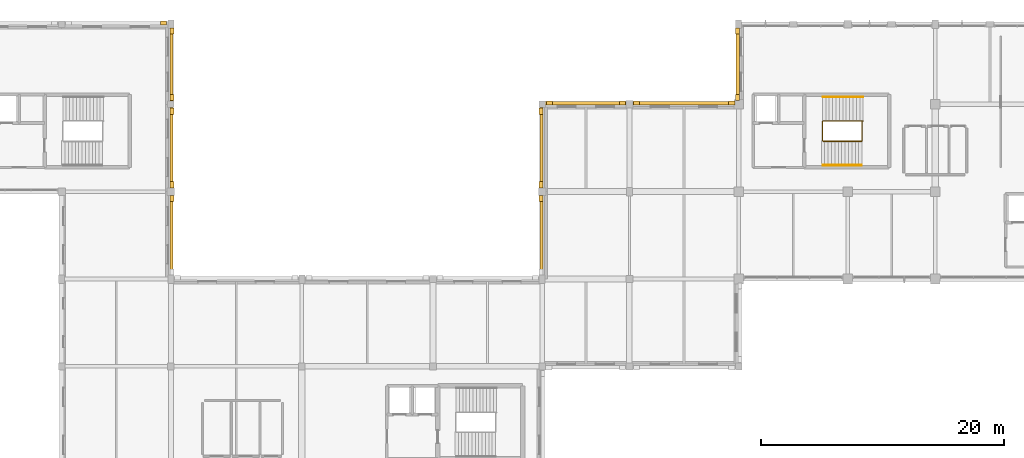
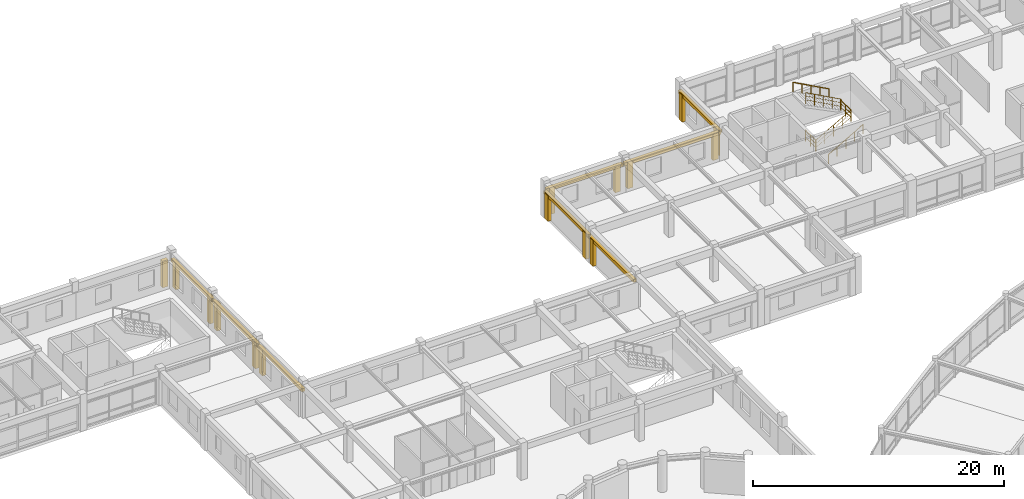
# One storey, part 71 of 74: 23 coverings, 6 railings.
"""IFC4 building model written with IfcOpenShell, lengths in metres."""

from ifc_helpers import new_model, si_unit, direction, frame, frame_2d, origin, origin_2d, place, context, subcontext, project, spatial, rectangle, circle, extrude, material, layer, layer_set, type_object, element, save


model = new_model("IFC4")

# Units and contexts
model_context = context("Model", 3, precision=1e-05, world=origin(), true_north=direction((0.0, 1.0)))
body_context = subcontext(model_context, "Body", "Model", "MODEL_VIEW")
ifc_project = project(units=[si_unit("LENGTHUNIT", "METRE"), si_unit("AREAUNIT", "SQUARE_METRE"), si_unit("VOLUMEUNIT", "CUBIC_METRE"), si_unit("PLANEANGLEUNIT", "RADIAN"), si_unit("MASSUNIT", "GRAM", prefix="KILO")], contexts=[model_context])

# Site, building, storey
site_placement = place(None, origin())
site = spatial("IfcSite", under=ifc_project, at=site_placement, CompositionType="ELEMENT")
building_placement = place(site_placement, origin())
building = spatial("IfcBuilding", under=site, at=building_placement, Name="Clarverna Civic Hall", CompositionType="ELEMENT")
storey_placement = place(building_placement, frame((0.0, 0.0, 9.60009765625)))
storey = spatial("IfcBuildingStorey", under=building, at=storey_placement, Name="L02", CompositionType="ELEMENT", Elevation=9.60009765625)

# Coverings
ifc_material_1 = material(Name="Montjuic Buff Limestone Ashlar Cladding", Category="masonry")
ifc_layer = layer(ifc_material_1, 0.070068359375)
ifc_layer_set = layer_set([ifc_layer], Name="Montjuic Buff Limestone Ashlar Cladding")
covering_type = type_object("IfcCoveringType", Name="CV-CL2", PredefinedType="CLADDING", material=ifc_layer_set)
covering_1_placement = place(storey_placement, frame((65.7548828125, 116.110107421875, 0.0), z_axis=(0.0, 0.0, 1.0), x_axis=(1.0, 0.0, 0.0)))
element("IfcCovering", 1, at=covering_1_placement, inside=storey, type_object=covering_type, Name="CV-CL2-424", PredefinedType="CLADDING", context=body_context, shape_type="SweptSolid", body=[
    extrude(rectangle(XDim=0.5, YDim=0.340087890625, at=frame_2d((0.25, 0.0))), origin(), (0.0, 0.0, 1.0), 2.599853515625),
])
covering_2_placement = place(storey_placement, frame((66.655029296875, 115.93994140625, 2.31982421875), z_axis=(0.0, 0.0, 1.0), x_axis=(0.0, -1.0, 0.0)))
element("IfcCovering", 2, at=covering_2_placement, inside=storey, type_object=covering_type, Name="CV-CL2-425", PredefinedType="CLADDING", context=body_context, shape_type="SweptSolid", body=[
    extrude(rectangle(XDim=6.47998046875, YDim=0.280029296875, at=frame_2d((3.239990234375, 0.0))), origin(), (0.0, 0.0, 1.0), 0.300048828125),
])
for number, where, z_axis, x_axis, name in (
    (3, (66.68505859375, 115.679931640625, 0.0), (0.0, 0.0, 1.0), (0.0, -1.0, 0.0), "CV-CL2-426"),
    (4, (66.68505859375, 110.219970703125, 0.0), (0.0, 0.0, 1.0), (0.0, -1.0, 0.0), "CV-CL2-427"),
):
    element("IfcCovering", number, at=place(storey_placement, frame(where, z_axis=z_axis, x_axis=x_axis)), inside=storey, type_object=covering_type, Name=name, PredefinedType="CLADDING", context=body_context, shape_type="SweptSolid", body=[
        extrude(rectangle(XDim=0.5, YDim=0.340087890625, at=frame_2d((0.25, 0.0))), origin(), (0.0, 0.0, 1.0), 2.599853515625),
    ])
covering_3_placement = place(storey_placement, frame((66.655029296875, 109.340087890625, 2.31982421875), z_axis=(0.0, 0.0, 1.0), x_axis=(0.0, -1.0, 0.0)))
element("IfcCovering", 5, at=covering_3_placement, inside=storey, type_object=covering_type, Name="CV-CL2-428", PredefinedType="CLADDING", context=body_context, shape_type="SweptSolid", body=[
    extrude(rectangle(XDim=7.080078125, YDim=0.280029296875, at=frame_2d((3.5400390625, 0.0))), origin(), (0.0, 0.0, 1.0), 0.300048828125),
])
for number, where, z_axis, x_axis, name in (
    (6, (66.68505859375, 109.080078125, 0.0), (0.0, 0.0, 1.0), (0.0, -1.0, 0.0), "CV-CL2-429"),
    (7, (66.68505859375, 103.02001953125, 0.0), (0.0, 0.0, 1.0), (0.0, -1.0, 0.0), "CV-CL2-430"),
):
    element("IfcCovering", number, at=place(storey_placement, frame(where, z_axis=z_axis, x_axis=x_axis)), inside=storey, type_object=covering_type, Name=name, PredefinedType="CLADDING", context=body_context, shape_type="SweptSolid", body=[
        extrude(rectangle(XDim=0.5, YDim=0.340087890625, at=frame_2d((0.25, 0.0))), origin(), (0.0, 0.0, 1.0), 2.599853515625),
    ])
covering_4_placement = place(storey_placement, frame((66.655029296875, 102.139892578125, 2.27978515625), z_axis=(0.0, 0.0, 1.0), x_axis=(0.0, -1.0, 0.0)))
element("IfcCovering", 8, at=covering_4_placement, inside=storey, type_object=covering_type, Name="CV-CL2-431", PredefinedType="CLADDING", context=body_context, shape_type="SweptSolid", body=[
    extrude(rectangle(XDim=7.079833984375, YDim=0.280029296875, at=frame_2d((3.5400390625, 0.0))), origin(), (0.0, 0.0, 1.0), 0.300048828125),
])
covering_5_placement = place(storey_placement, frame((66.68505859375, 101.8798828125, 0.0), z_axis=(0.0, 0.0, 1.0), x_axis=(0.0, -1.0, 0.0)))
element("IfcCovering", 9, at=covering_5_placement, inside=storey, type_object=covering_type, Name="CV-CL2-432", PredefinedType="CLADDING", context=body_context, shape_type="SweptSolid", body=[
    extrude(rectangle(XDim=0.5, YDim=0.340087890625, at=frame_2d((0.25, 0.0))), origin(), (0.0, 0.0, 1.0), 2.559814453125),
])
covering_6_placement = place(storey_placement, frame((97.14501953125, 95.06005859375, 2.239990234375), z_axis=(0.0, 0.0, 1.0), x_axis=(0.0, 1.0, 0.0)))
element("IfcCovering", 10, at=covering_6_placement, inside=storey, type_object=covering_type, Name="CV-CL2-443", PredefinedType="CLADDING", context=body_context, shape_type="SweptSolid", body=[
    extrude(rectangle(XDim=7.079833984375, YDim=0.280029296875, at=frame_2d((3.5400390625, 0.0))), origin(), (0.0, 0.0, 1.0), 0.2998046875),
])
covering_7_placement = place(storey_placement, frame((97.114990234375, 101.3798828125, 0.0), z_axis=(0.0, 0.0, 1.0), x_axis=(0.0, 1.0, 0.0)))
element("IfcCovering", 11, at=covering_7_placement, inside=storey, type_object=covering_type, Name="CV-CL2-445", PredefinedType="CLADDING", context=body_context, shape_type="SweptSolid", body=[
    extrude(rectangle(XDim=0.5, YDim=0.340087890625, at=frame_2d((0.25, 0.0))), origin(), (0.0, 0.0, 1.0), 2.52001953125),
])
covering_8_placement = place(storey_placement, frame((97.14501953125, 102.260009765625, 2.239990234375), z_axis=(0.0, 0.0, 1.0), x_axis=(0.0, 1.0, 0.0)))
element("IfcCovering", 12, at=covering_8_placement, inside=storey, type_object=covering_type, Name="CV-CL2-446", PredefinedType="CLADDING", context=body_context, shape_type="SweptSolid", body=[
    extrude(rectangle(XDim=7.080078125, YDim=0.280029296875, at=frame_2d((3.5400390625, 0.0))), origin(), (0.0, 0.0, 1.0), 0.2998046875),
])
for number, where, z_axis, x_axis, name in (
    (13, (97.114990234375, 102.52001953125, 0.0), (0.0, 0.0, 1.0), (0.0, 1.0, 0.0), "CV-CL2-447"),
    (14, (97.114990234375, 108.580078125, 0.0), (0.0, 0.0, 1.0), (0.0, 1.0, 0.0), "CV-CL2-448"),
):
    element("IfcCovering", number, at=place(storey_placement, frame(where, z_axis=z_axis, x_axis=x_axis)), inside=storey, type_object=covering_type, Name=name, PredefinedType="CLADDING", context=body_context, shape_type="SweptSolid", body=[
        extrude(rectangle(XDim=0.5, YDim=0.340087890625, at=frame_2d((0.25, 0.0))), origin(), (0.0, 0.0, 1.0), 2.52001953125),
    ])
covering_9_placement = place(storey_placement, frame((97.284912109375, 109.47998046875, 2.31982421875), z_axis=(0.0, 0.0, 1.0), x_axis=(1.0, 0.0, 0.0)))
element("IfcCovering", 15, at=covering_9_placement, inside=storey, type_object=covering_type, Name="CV-CL2-449", PredefinedType="CLADDING", context=body_context, shape_type="SweptSolid", body=[
    extrude(rectangle(XDim=7.05517578125, YDim=0.280029296875, at=frame_2d((3.527587890625, 0.0))), origin(), (0.0, 0.0, 1.0), 0.300048828125),
])
for number, where, z_axis, x_axis, name in (
    (16, (97.544921875, 109.510009765625, 0.0), (0.0, 0.0, 1.0), (1.0, 0.0, 0.0), "CV-CL2-450"),
    (17, (103.580078125, 109.510009765625, 0.0), (0.0, 0.0, 1.0), (1.0, 0.0, 0.0), "CV-CL2-451"),
):
    element("IfcCovering", number, at=place(storey_placement, frame(where, z_axis=z_axis, x_axis=x_axis)), inside=storey, type_object=covering_type, Name=name, PredefinedType="CLADDING", context=body_context, shape_type="SweptSolid", body=[
        extrude(rectangle(XDim=0.5, YDim=0.340087890625, at=frame_2d((0.25, 0.0))), origin(), (0.0, 0.0, 1.0), 2.599853515625),
    ])
covering_10_placement = place(storey_placement, frame((104.4599609375, 109.47998046875, 2.31982421875), z_axis=(0.0, 0.0, 1.0), x_axis=(1.0, 0.0, 0.0)))
element("IfcCovering", 18, at=covering_10_placement, inside=storey, type_object=covering_type, Name="CV-CL2-452", PredefinedType="CLADDING", context=body_context, shape_type="SweptSolid", body=[
    extrude(rectangle(XDim=8.880126953125, YDim=0.280029296875, at=frame_2d((4.43994140625, 0.0))), origin(), (0.0, 0.0, 1.0), 0.300048828125),
])
for number, where, z_axis, x_axis, name in (
    (19, (104.719970703125, 109.510009765625, 0.0), (0.0, 0.0, 1.0), (1.0, 0.0, 0.0), "CV-CL2-453"),
    (20, (112.580078125, 109.510009765625, 0.0), (0.0, 0.0, 1.0), (1.0, 0.0, 0.0), "CV-CL2-454"),
):
    element("IfcCovering", number, at=place(storey_placement, frame(where, z_axis=z_axis, x_axis=x_axis)), inside=storey, type_object=covering_type, Name=name, PredefinedType="CLADDING", context=body_context, shape_type="SweptSolid", body=[
        extrude(rectangle(XDim=0.5, YDim=0.340087890625, at=frame_2d((0.25, 0.0))), origin(), (0.0, 0.0, 1.0), 2.599853515625),
    ])
covering_11_placement = place(storey_placement, frame((113.320068359375, 109.4599609375, 2.35986328125), z_axis=(0.0, 0.0, 1.0), x_axis=(0.0, 1.0, 0.0)))
element("IfcCovering", 21, at=covering_11_placement, inside=storey, type_object=covering_type, Name="CV-CL2-455", PredefinedType="CLADDING", context=body_context, shape_type="SweptSolid", body=[
    extrude(rectangle(XDim=6.47998046875, YDim=0.280029296875, at=frame_2d((3.239990234375, 0.0))), origin(), (0.0, 0.0, 1.0), 0.300048828125),
])
for number, where, z_axis, x_axis, name in (
    (22, (113.2900390625, 109.719970703125, 0.0), (0.0, 0.0, 1.0), (0.0, 1.0, 0.0), "CV-CL2-456"),
    (23, (113.2900390625, 115.179931640625, 0.0), (0.0, 0.0, 1.0), (0.0, 1.0, 0.0), "CV-CL2-457"),
):
    element("IfcCovering", number, at=place(storey_placement, frame(where, z_axis=z_axis, x_axis=x_axis)), inside=storey, type_object=covering_type, Name=name, PredefinedType="CLADDING", context=body_context, shape_type="SweptSolid", body=[
        extrude(rectangle(XDim=0.5, YDim=0.340087890625, at=frame_2d((0.25, 0.0))), origin(), (0.0, 0.0, 1.0), 2.639892578125),
    ])

# Railings
ifc_material_2 = material(Name="Anodised Bronze Architectural Balustrade")
railing_type_1 = type_object("IfcRailingType", Name="GR-02", PredefinedType="BALUSTRADE", material=ifc_material_2)
railing_1_placement = place(storey_placement, frame((120.35009765625, 106.360107421875, 0.0)))
element("IfcRailing", 24, at=railing_1_placement, inside=storey, type_object=railing_type_1, Name="GR-02-163", PredefinedType="BALUSTRADE", context=body_context, shape_type="SweptSolid", body=[
    extrude(circle(Radius=0.02392578125, at=origin_2d()), frame((0.0, 0.0, 1.09619140625), z_axis=(0.871914137429, 0.0, 0.48965879646), x_axis=(0.0, 1.0, 0.0)), (0.0, 0.0, 1.0), 3.675537109375),
    extrude(circle(Radius=0.011962890625, at=origin_2d()), frame((0.0, 0.0, 0.39208984375), z_axis=(0.871914137429, 0.0, 0.48965879646), x_axis=(0.0, 1.0, 0.0)), (0.0, 0.0, 1.0), 3.675537109375),
    extrude(circle(Radius=0.011962890625, at=origin_2d()), frame((0.0, 0.0, 0.76171875), z_axis=(0.871914137429, 0.0, 0.48965879646), x_axis=(0.0, 1.0, 0.0)), (0.0, 0.0, 1.0), 3.675537109375),
    extrude(circle(Radius=0.02099609375, at=origin_2d()), origin(), (0.0, 0.0, 1.0), 1.072021484375),
    extrude(circle(Radius=0.02099609375, at=origin_2d()), frame((0.80126953125, 0.0, 0.449951171875)), (0.0, 0.0, 1.0), 1.072021484375),
    extrude(circle(Radius=0.02099609375, at=origin_2d()), frame((1.6025390625, 0.0, 0.89990234375)), (0.0, 0.0, 1.0), 1.072021484375),
    extrude(circle(Radius=0.02099609375, at=origin_2d()), frame((2.403564453125, 0.0, 1.349853515625)), (0.0, 0.0, 1.0), 1.072021484375),
    extrude(circle(Radius=0.02099609375, at=origin_2d()), frame((3.204833984375, 0.0, 1.7998046875)), (0.0, 0.0, 1.0), 1.072021484375),
])
railing_2_placement = place(storey_placement, frame((123.554931640625, 106.360107421875, 1.7998046875)))
element("IfcRailing", 25, at=railing_2_placement, inside=storey, type_object=railing_type_1, Name="GR-02-164", PredefinedType="BALUSTRADE", context=body_context, shape_type="SweptSolid", body=[
    extrude(circle(Radius=0.02392578125, at=origin_2d()), frame((0.0, 0.0, 1.09619140625), z_axis=(0.0, 1.0, 0.0), x_axis=(-1.0, 0.0, 0.0)), (0.0, 0.0, 1.0), 1.679931640625),
    extrude(circle(Radius=0.011962890625, at=origin_2d()), frame((0.0, 0.0, 0.39208984375), z_axis=(0.0, 1.0, 0.0), x_axis=(-1.0, 0.0, 0.0)), (0.0, 0.0, 1.0), 1.679931640625),
    extrude(circle(Radius=0.011962890625, at=origin_2d()), frame((0.0, 0.0, 0.76171875), z_axis=(0.0, 1.0, 0.0), x_axis=(-1.0, 0.0, 0.0)), (0.0, 0.0, 1.0), 1.679931640625),
    extrude(circle(Radius=0.02099609375, at=origin_2d()), origin(), (0.0, 0.0, 1.0), 1.072021484375),
    extrude(circle(Radius=0.02099609375, at=origin_2d()), frame((0.0, 0.83984375, 0.0)), (0.0, 0.0, 1.0), 1.072021484375),
    extrude(circle(Radius=0.02099609375, at=origin_2d()), frame((0.0, 1.679931640625, 0.0)), (0.0, 0.0, 1.0), 1.072021484375),
])
railing_3_placement = place(storey_placement, frame((123.64501953125, 108.0400390625, 1.7998046875)))
element("IfcRailing", 26, at=railing_3_placement, inside=storey, type_object=railing_type_1, Name="GR-02-165", PredefinedType="BALUSTRADE", context=body_context, shape_type="SweptSolid", body=[
    extrude(circle(Radius=0.02392578125, at=origin_2d()), frame((0.0, 0.0, 1.09619140625), z_axis=(-0.877579782342, 0.0, 0.479430626498), x_axis=(0.0, -1.0, 0.0)), (0.0, 0.0, 1.0), 3.754638671875),
    extrude(circle(Radius=0.011962890625, at=origin_2d()), frame((0.0, 0.0, 0.39208984375), z_axis=(-0.877579782342, 0.0, 0.479430626498), x_axis=(0.0, -1.0, 0.0)), (0.0, 0.0, 1.0), 3.754638671875),
    extrude(circle(Radius=0.011962890625, at=origin_2d()), frame((0.0, 0.0, 0.76171875), z_axis=(-0.877579782342, 0.0, 0.479430626498), x_axis=(0.0, -1.0, 0.0)), (0.0, 0.0, 1.0), 3.754638671875),
    extrude(circle(Radius=0.02099609375, at=origin_2d()), origin(), (0.0, 0.0, 1.0), 1.072021484375),
    extrude(circle(Radius=0.02099609375, at=origin_2d()), frame((-0.82373046875, 0.0, 0.449951171875)), (0.0, 0.0, 1.0), 1.072021484375),
    extrude(circle(Radius=0.02099609375, at=origin_2d()), frame((-1.6474609375, 0.0, 0.89990234375)), (0.0, 0.0, 1.0), 1.072021484375),
    extrude(circle(Radius=0.02099609375, at=origin_2d()), frame((-2.47119140625, 0.0, 1.35009765625)), (0.0, 0.0, 1.0), 1.072021484375),
    extrude(circle(Radius=0.02099609375, at=origin_2d()), frame((-3.294921875, 0.0, 1.800048828125)), (0.0, 0.0, 1.0), 1.072021484375),
])
railing_4_placement = place(storey_placement, frame((120.31005859375, 106.39990234375, 0.0)))
element("IfcRailing", 27, at=railing_4_placement, inside=storey, type_object=railing_type_1, Name="GR-02-166", PredefinedType="BALUSTRADE", context=body_context, shape_type="SweptSolid", body=[
    extrude(circle(Radius=0.02392578125, at=origin_2d()), frame((0.0, 0.0, 1.09619140625), z_axis=(0.0, 1.0, 0.0), x_axis=(-1.0, 0.0, 0.0)), (0.0, 0.0, 1.0), 1.60009765625),
    extrude(circle(Radius=0.011962890625, at=origin_2d()), frame((0.0, 0.0, 0.39208984375), z_axis=(0.0, 1.0, 0.0), x_axis=(-1.0, 0.0, 0.0)), (0.0, 0.0, 1.0), 1.60009765625),
    extrude(circle(Radius=0.011962890625, at=origin_2d()), frame((0.0, 0.0, 0.76171875), z_axis=(0.0, 1.0, 0.0), x_axis=(-1.0, 0.0, 0.0)), (0.0, 0.0, 1.0), 1.60009765625),
    extrude(circle(Radius=0.02099609375, at=origin_2d()), origin(), (0.0, 0.0, 1.0), 1.072021484375),
    extrude(circle(Radius=0.02099609375, at=origin_2d()), frame((0.0, 0.800048828125, 0.0)), (0.0, 0.0, 1.0), 1.072021484375),
    extrude(circle(Radius=0.02099609375, at=origin_2d()), frame((0.0, 1.60009765625, 0.0)), (0.0, 0.0, 1.0), 1.072021484375),
])
ifc_material_3 = material(Name="Anodised Bronze Continuous Handrail")
railing_type_2 = type_object("IfcRailingType", Name="HR-01", PredefinedType="HANDRAIL", material=ifc_material_3)
railing_5_placement = place(storey_placement, frame((120.35009765625, 104.3798828125, 0.0)))
element("IfcRailing", 28, at=railing_5_placement, inside=storey, type_object=railing_type_2, Name="HR-01-081", PredefinedType="HANDRAIL", context=body_context, shape_type="SweptSolid", body=[
    extrude(circle(Radius=0.02392578125, at=origin_2d()), frame((0.0, 0.0, 0.89599609375), z_axis=(0.870937506535, 0.0, 0.491393792911), x_axis=(0.0, 1.0, 0.0)), (0.0, 0.0, 1.0), 3.66259765625),
    extrude(circle(Radius=0.02099609375, at=origin_2d()), origin(), (0.0, 0.0, 1.0), 0.871826171875),
    extrude(circle(Radius=0.02099609375, at=origin_2d()), frame((0.79736328125, 0.0, 0.449951171875)), (0.0, 0.0, 1.0), 0.871826171875),
    extrude(circle(Radius=0.02099609375, at=origin_2d()), frame((1.594970703125, 0.0, 0.89990234375)), (0.0, 0.0, 1.0), 0.871826171875),
    extrude(circle(Radius=0.02099609375, at=origin_2d()), frame((2.392578125, 0.0, 1.349853515625)), (0.0, 0.0, 1.0), 0.871826171875),
    extrude(circle(Radius=0.02099609375, at=origin_2d()), frame((3.18994140625, 0.0, 1.7998046875)), (0.0, 0.0, 1.0), 0.871826171875),
])
railing_6_placement = place(storey_placement, frame((123.659912109375, 110.02001953125, 1.7998046875)))
element("IfcRailing", 29, at=railing_6_placement, inside=storey, type_object=railing_type_2, Name="HR-01-082", PredefinedType="HANDRAIL", context=body_context, shape_type="SweptSolid", body=[
    extrude(circle(Radius=0.02392578125, at=origin_2d()), frame((0.0, 0.0, 0.89599609375), z_axis=(-0.878486765243, 0.0, 0.477766682904), x_axis=(0.0, -1.0, 0.0)), (0.0, 0.0, 1.0), 3.767578125),
    extrude(circle(Radius=0.02099609375, at=origin_2d()), origin(), (0.0, 0.0, 1.0), 0.871826171875),
    extrude(circle(Radius=0.02099609375, at=origin_2d()), frame((-0.827392578125, 0.0, 0.449951171875)), (0.0, 0.0, 1.0), 0.871826171875),
    extrude(circle(Radius=0.02099609375, at=origin_2d()), frame((-1.65478515625, 0.0, 0.89990234375)), (0.0, 0.0, 1.0), 0.871826171875),
    extrude(circle(Radius=0.02099609375, at=origin_2d()), frame((-2.482421875, 0.0, 1.35009765625)), (0.0, 0.0, 1.0), 0.871826171875),
    extrude(circle(Radius=0.02099609375, at=origin_2d()), frame((-3.309814453125, 0.0, 1.800048828125)), (0.0, 0.0, 1.0), 0.871826171875),
])

save(model, "model.ifc")
